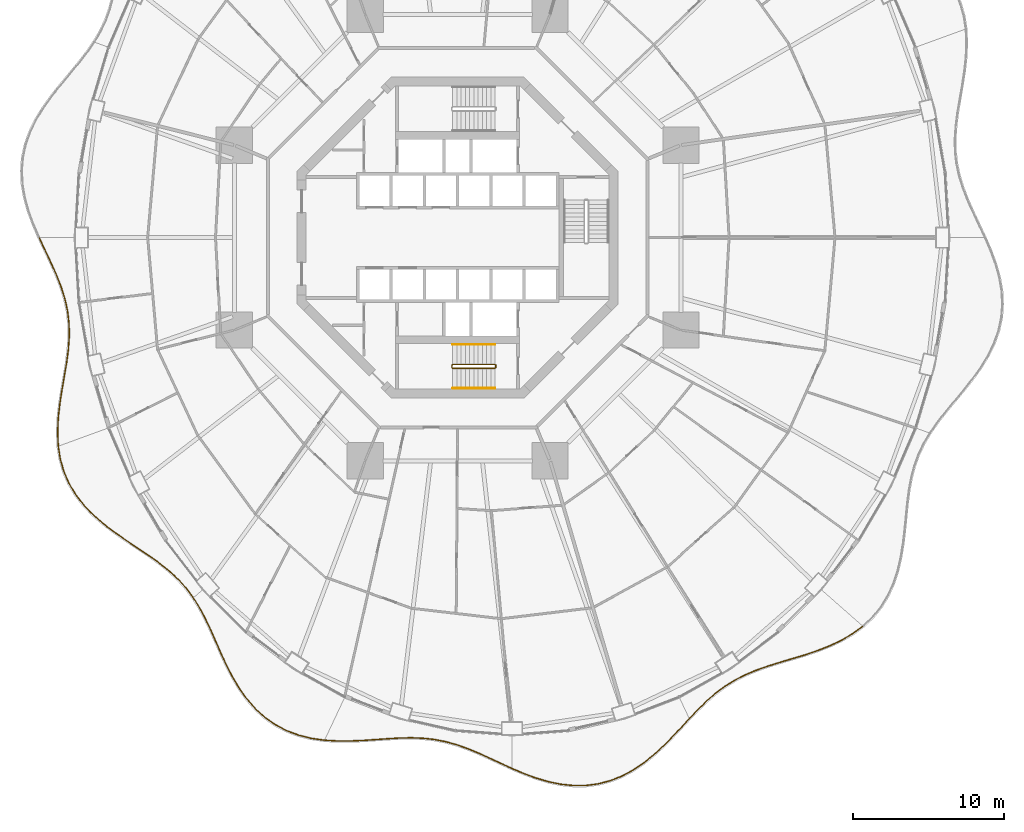
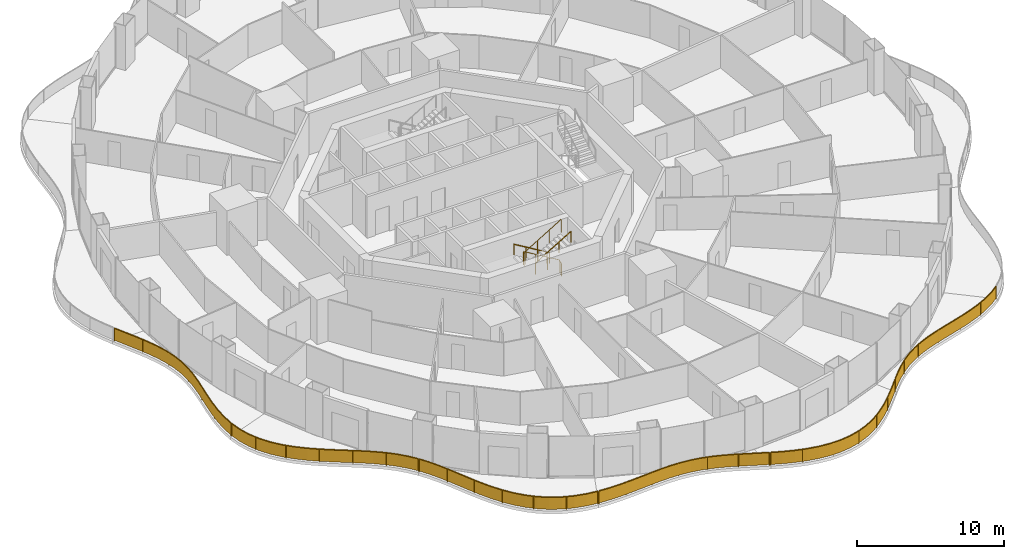
# One storey, part 20 of 22: 9 railings.
"""IFC4 building model written with IfcOpenShell, lengths in metres."""

from ifc_helpers import new_model, si_unit, direction, frame, origin, origin_2d, place, context, subcontext, project, spatial, polyline, rectangle, circle, outline, extrude, material, type_object, element, save


model = new_model("IFC4")

# Units and contexts
model_context = context("Model", 3, precision=1e-05, world=origin(), true_north=direction((0.0, 1.0)))
body_context = subcontext(model_context, "Body", "Model", "MODEL_VIEW")
ifc_project = project(units=[si_unit("LENGTHUNIT", "METRE"), si_unit("AREAUNIT", "SQUARE_METRE"), si_unit("VOLUMEUNIT", "CUBIC_METRE"), si_unit("PLANEANGLEUNIT", "RADIAN"), si_unit("MASSUNIT", "GRAM", prefix="KILO")], contexts=[model_context])

# Site, building, storey
site_placement = place(None, origin())
site = spatial("IfcSite", under=ifc_project, at=site_placement, CompositionType="ELEMENT")
building_placement = place(site_placement, origin())
building = spatial("IfcBuilding", under=site, at=building_placement, Name="Nagisa Residences", CompositionType="ELEMENT")
storey_placement = place(building_placement, frame((0.0, 0.0, 38.10009765625)))
storey = spatial("IfcBuildingStorey", under=building, at=storey_placement, Name="L08", CompositionType="ELEMENT", Elevation=38.10009765625)

# Railings
ifc_material_1 = material(Name="Stainless steel 316", Category="steel")
railing_type_1 = type_object("IfcRailingType", Name="BALCONY GUARD 1100", PredefinedType="BALUSTRADE", material=ifc_material_1)
railing_1_placement = place(storey_placement, frame((-27.691650390625, -0.034423828125, 0.0)))
element("IfcRailing", 1, at=railing_1_placement, inside=storey, type_object=railing_type_1, Name="guard:L08:bal08-0", PredefinedType="BALUSTRADE", context=body_context, shape_type="SweptSolid", body=[
    extrude(outline(polyline([(0.40185546875, -0.796875), (0.022705078125, 0.0107421875), (-0.022705078125, -0.0107421875), (0.3564453125, -0.818359375), (0.749755859375, -1.651123046875), (1.11474609375, -2.4697265625), (1.430419921875, -3.278564453125), (1.6796875, -4.08349609375), (1.849853515625, -4.877197265625), (1.93994140625, -5.694091796875), (1.95068359375, -6.526611328125), (1.89208984375, -7.37939453125), (1.77880859375, -8.254638671875), (1.627685546875, -9.138916015625), (1.468994140625, -10.056640625), (1.3251953125, -10.98876953125), (1.221923828125, -11.927490234375), (1.182373046875, -12.863525390625), (1.223876953125, -13.7392578125), (1.273681640625, -13.73681640625), (1.232666015625, -12.863525390625), (1.271728515625, -11.931396484375), (1.375, -10.9951171875), (1.518310546875, -10.06494140625), (1.677001953125, -9.147216796875), (1.828125, -8.261962890625), (1.94189453125, -7.38427734375), (2.0009765625, -6.528076171875), (1.98974609375, -5.691162109375), (1.899169921875, -4.869384765625), (1.72802734375, -4.07080078125), (1.477783203125, -3.261962890625), (1.1611328125, -2.4501953125), (0.795166015625, -1.630126953125), (0.40185546875, -0.796875)])), frame((0.0, 0.0, 1.050048828125)), (0.0, 0.0, 1.0), 0.050048828125),
    extrude(outline(polyline([(0.385498046875, -0.8046875), (0.00634765625, 0.0029296875), (-0.00634765625, -0.0029296875), (0.372802734375, -0.810546875), (0.76611328125, -1.6435546875), (1.131591796875, -2.462646484375), (1.447509765625, -3.2724609375), (1.697021484375, -4.078857421875), (1.86767578125, -4.87451171875), (1.957763671875, -5.693115234375), (1.96875, -6.527099609375), (1.909912109375, -7.381103515625), (1.796630859375, -8.25732421875), (1.6455078125, -9.141845703125), (1.48681640625, -10.0595703125), (1.34326171875, -10.990966796875), (1.23974609375, -11.928955078125), (1.200439453125, -12.863525390625), (1.24169921875, -13.73828125), (1.255859375, -13.73779296875), (1.214599609375, -12.863525390625), (1.25390625, -11.929931640625), (1.35693359375, -10.992919921875), (1.50048828125, -10.06201171875), (1.6591796875, -9.144287109375), (1.810302734375, -8.25927734375), (1.924072265625, -7.382568359375), (1.98291015625, -6.527587890625), (1.971923828125, -5.692138671875), (1.88134765625, -4.8720703125), (1.710693359375, -4.075439453125), (1.460693359375, -3.26806640625), (1.144287109375, -2.457275390625), (0.77880859375, -1.6376953125), (0.385498046875, -0.8046875)])), frame((0.0, 0.0, 0.06005859375)), (0.0, 0.0, 1.0), 0.989990234375),
    extrude(rectangle(XDim=0.0400390625, YDim=0.0400390625, at=origin_2d()), origin(), (0.0, 0.0, 1.0), 1.050048828125),
    extrude(rectangle(XDim=0.0400390625, YDim=0.0400390625, at=origin_2d()), frame((0.995361328125, -2.140380859375, 0.0)), (0.0, 0.0, 1.0), 1.050048828125),
    extrude(rectangle(XDim=0.0400390625, YDim=0.0400390625, at=origin_2d()), frame((1.765869140625, -4.36669921875, 0.0)), (0.0, 0.0, 1.0), 1.050048828125),
    extrude(rectangle(XDim=0.0400390625, YDim=0.0400390625, at=origin_2d()), frame((1.963134765625, -6.710205078125, 0.0)), (0.0, 0.0, 1.0), 1.050048828125),
    extrude(rectangle(XDim=0.0400390625, YDim=0.0400390625, at=origin_2d()), frame((1.668212890625, -9.05029296875, 0.0)), (0.0, 0.0, 1.0), 1.050048828125),
    extrude(rectangle(XDim=0.0400390625, YDim=0.0400390625, at=origin_2d()), frame((1.30712890625, -11.382568359375, 0.0)), (0.0, 0.0, 1.0), 1.050048828125),
    extrude(rectangle(XDim=0.0400390625, YDim=0.0400390625, at=origin_2d()), frame((1.248779296875, -13.738037109375, 0.0)), (0.0, 0.0, 1.0), 1.050048828125),
])
railing_2_placement = place(storey_placement, frame((-26.435302734375, -13.849365234375, 0.0)))
element("IfcRailing", 2, at=railing_2_placement, inside=storey, type_object=railing_type_1, Name="guard:L08:bal09-0", PredefinedType="BALUSTRADE", context=body_context, shape_type="SweptSolid", body=[
    extrude(outline(polyline([(0.154296875, -0.8173828125), (0.024658203125, 0.00390625), (-0.024658203125, -0.00390625), (0.10546875, -0.828125), (0.34716796875, -1.665771484375), (0.694580078125, -2.46240234375), (1.14453125, -3.21142578125), (1.68896484375, -3.90966796875), (2.307373046875, -4.5439453125), (2.995361328125, -5.142822265625), (3.72705078125, -5.69970703125), (4.480224609375, -6.22412109375), (5.234619140625, -6.7275390625), (5.961669921875, -7.210693359375), (6.661376953125, -7.71240234375), (7.31298828125, -8.2333984375), (7.908203125, -8.7861328125), (8.44482421875, -9.38037109375), (8.899658203125, -9.98974609375), (8.939697265625, -9.9599609375), (8.4833984375, -9.3486328125), (7.94384765625, -8.7509765625), (7.345703125, -8.1953125), (6.691650390625, -7.67236328125), (5.989990234375, -7.169677734375), (5.262451171875, -6.68603515625), (4.508544921875, -6.1826171875), (3.75634765625, -5.6591796875), (3.027099609375, -5.103759765625), (2.341552734375, -4.50732421875), (1.7265625, -3.876953125), (1.18603515625, -3.18310546875), (0.739013671875, -2.439453125), (0.39453125, -1.648681640625), (0.154296875, -0.8173828125)])), frame((0.0, 0.0, 1.050048828125)), (0.0, 0.0, 1.0), 0.050048828125),
    extrude(outline(polyline([(0.13671875, -0.8212890625), (0.0068359375, 0.0009765625), (-0.0068359375, -0.0009765625), (0.123046875, -0.82421875), (0.3642578125, -1.65966796875), (0.71044921875, -2.4541015625), (1.159423828125, -3.201171875), (1.702392578125, -3.89794921875), (2.319580078125, -4.53076171875), (3.0068359375, -5.128662109375), (3.737548828125, -5.68505859375), (4.490478515625, -6.209228515625), (5.24462890625, -6.712646484375), (5.971923828125, -7.196044921875), (6.67236328125, -7.697998046875), (7.32470703125, -8.2197265625), (7.921142578125, -8.7734375), (8.458740234375, -9.368896484375), (8.9140625, -9.97900390625), (8.92529296875, -9.970703125), (8.469482421875, -9.360107421875), (7.930908203125, -8.763671875), (7.333984375, -8.208984375), (6.6806640625, -7.686767578125), (5.979736328125, -7.184326171875), (5.25244140625, -6.700927734375), (4.498291015625, -6.197509765625), (3.745849609375, -5.673828125), (3.015625, -5.117919921875), (2.329345703125, -4.5205078125), (1.713134765625, -3.888671875), (1.171142578125, -3.193359375), (0.72314453125, -2.44775390625), (0.37744140625, -1.65478515625), (0.13671875, -0.8212890625)])), frame((0.0, 0.0, 0.06005859375)), (0.0, 0.0, 1.0), 0.989990234375),
    extrude(rectangle(XDim=0.0400390625, YDim=0.0400390625, at=origin_2d()), origin(), (0.0, 0.0, 1.0), 1.050048828125),
    extrude(rectangle(XDim=0.0400390625, YDim=0.0400390625, at=origin_2d()), frame((0.6103515625, -2.206787109375, 0.0)), (0.0, 0.0, 1.0), 1.050048828125),
    extrude(rectangle(XDim=0.0400390625, YDim=0.0400390625, at=origin_2d()), frame((1.904296875, -4.094970703125, 0.0)), (0.0, 0.0, 1.0), 1.050048828125),
    extrude(rectangle(XDim=0.0400390625, YDim=0.0400390625, at=origin_2d()), frame((3.638916015625, -5.60107421875, 0.0)), (0.0, 0.0, 1.0), 1.050048828125),
    extrude(rectangle(XDim=0.0400390625, YDim=0.0400390625, at=origin_2d()), frame((5.538330078125, -6.8994140625, 0.0)), (0.0, 0.0, 1.0), 1.050048828125),
    extrude(rectangle(XDim=0.0400390625, YDim=0.0400390625, at=origin_2d()), frame((7.386474609375, -8.267333984375, 0.0)), (0.0, 0.0, 1.0), 1.050048828125),
    extrude(rectangle(XDim=0.0400390625, YDim=0.0400390625, at=origin_2d()), frame((8.919677734375, -9.974853515625, 0.0)), (0.0, 0.0, 1.0), 1.050048828125),
])
railing_3_placement = place(storey_placement, frame((-17.4775390625, -23.88232421875, 0.0)))
element("IfcRailing", 3, at=railing_3_placement, inside=storey, type_object=railing_type_1, Name="guard:L08:bal10-0", PredefinedType="BALUSTRADE", context=body_context, shape_type="SweptSolid", body=[
    extrude(outline(polyline([(0.41064453125, -0.613037109375), (0.021240234375, 0.01318359375), (-0.021240234375, -0.01318359375), (0.3671875, -0.637939453125), (0.74267578125, -1.34228515625), (1.095458984375, -2.086669921875), (1.43896484375, -2.86181640625), (1.788818359375, -3.656005859375), (2.14794921875, -4.44384765625), (2.553955078125, -5.230224609375), (3.0068359375, -5.987060546875), (3.515380859375, -6.697509765625), (4.08544921875, -7.345947265625), (4.706787109375, -7.91015625), (5.401123046875, -8.396240234375), (6.154052734375, -8.79052734375), (6.956787109375, -9.0908203125), (7.798828125, -9.30029296875), (8.622314453125, -9.416748046875), (8.629150390625, -9.367431640625), (7.80859375, -9.2509765625), (6.971435546875, -9.04296875), (6.174560546875, -8.74462890625), (5.427001953125, -8.353271484375), (4.738037109375, -7.87109375), (4.12109375, -7.310791015625), (3.554443359375, -6.666259765625), (3.048828125, -5.959716796875), (2.597900390625, -5.205810546875), (2.19287109375, -4.421875), (1.834716796875, -3.635498046875), (1.48486328125, -2.841796875), (1.140869140625, -2.065673828125), (0.78759765625, -1.31982421875), (0.41064453125, -0.613037109375)])), frame((0.0, 0.0, 1.050048828125)), (0.0, 0.0, 1.0), 0.050048828125),
    extrude(outline(polyline([(0.39501953125, -0.6220703125), (0.005859375, 0.003662109375), (-0.005859375, -0.003662109375), (0.3828125, -0.62890625), (0.7587890625, -1.334228515625), (1.11181640625, -2.0791015625), (1.45556640625, -2.854736328125), (1.805419921875, -3.648681640625), (2.1640625, -4.43603515625), (2.56982421875, -5.221435546875), (3.02197265625, -5.977294921875), (3.529541015625, -6.686279296875), (4.098388671875, -7.333251953125), (4.718017578125, -7.89599609375), (5.410400390625, -8.380859375), (6.161376953125, -8.77392578125), (6.9619140625, -9.073486328125), (7.802490234375, -9.282470703125), (8.624755859375, -9.39892578125), (8.626708984375, -9.38525390625), (7.804931640625, -9.268798828125), (6.96630859375, -9.060302734375), (6.167236328125, -8.76123046875), (5.417724609375, -8.36865234375), (4.726806640625, -7.88525390625), (4.108154296875, -7.323486328125), (3.540283203125, -6.677490234375), (3.03369140625, -5.969482421875), (2.58203125, -5.214599609375), (2.1767578125, -4.4296875), (1.818115234375, -3.642822265625), (1.46826171875, -2.848876953125), (1.12451171875, -2.0732421875), (0.771484375, -1.327880859375), (0.39501953125, -0.6220703125)])), frame((0.0, 0.0, 0.06005859375)), (0.0, 0.0, 1.0), 0.989990234375),
    extrude(rectangle(XDim=0.0400390625, YDim=0.0400390625, at=origin_2d()), origin(), (0.0, 0.0, 1.0), 1.050048828125),
    extrude(rectangle(XDim=0.0400390625, YDim=0.0400390625, at=origin_2d()), frame((1.07177734375, -1.978271484375, 0.0)), (0.0, 0.0, 1.0), 1.050048828125),
    extrude(rectangle(XDim=0.0400390625, YDim=0.0400390625, at=origin_2d()), frame((1.9892578125, -4.035400390625, 0.0)), (0.0, 0.0, 1.0), 1.050048828125),
    extrude(rectangle(XDim=0.0400390625, YDim=0.0400390625, at=origin_2d()), frame((3.057861328125, -6.015380859375, 0.0)), (0.0, 0.0, 1.0), 1.050048828125),
    extrude(rectangle(XDim=0.0400390625, YDim=0.0400390625, at=origin_2d()), frame((4.526611328125, -7.712890625, 0.0)), (0.0, 0.0, 1.0), 1.050048828125),
    extrude(rectangle(XDim=0.0400390625, YDim=0.0400390625, at=origin_2d()), frame((6.4423828125, -8.87158203125, 0.0)), (0.0, 0.0, 1.0), 1.050048828125),
    extrude(rectangle(XDim=0.0400390625, YDim=0.0400390625, at=origin_2d()), frame((8.625732421875, -9.39208984375, 0.0)), (0.0, 0.0, 1.0), 1.050048828125),
])
railing_4_placement = place(storey_placement, frame((-8.77490234375, -33.281494140625, 0.0)))
element("IfcRailing", 4, at=railing_4_placement, inside=storey, type_object=railing_type_1, Name="guard:L08:bal11-0", PredefinedType="BALUSTRADE", context=body_context, shape_type="SweptSolid", body=[
    extrude(outline(polyline([(0.806640625, -0.02294921875), (0.00146484375, 0.02490234375), (-0.00146484375, -0.02490234375), (0.80517578125, -0.07275390625), (1.663818359375, -0.073486328125), (2.518310546875, -0.036865234375), (3.360107421875, 0.01904296875), (4.18408203125, 0.0771484375), (4.968994140625, 0.125), (5.748046875, 0.13720703125), (6.505126953125, 0.10693359375), (7.244140625, 0.0244140625), (7.9697265625, -0.115234375), (8.670654296875, -0.309814453125), (9.38916015625, -0.561279296875), (10.11328125, -0.85888671875), (10.849609375, -1.190673828125), (11.60205078125, -1.541259765625), (12.329833984375, -1.876220703125), (12.350830078125, -1.830810546875), (11.623046875, -1.495849609375), (10.87060546875, -1.145263671875), (10.13330078125, -0.81298828125), (9.40673828125, -0.514404296875), (8.685791015625, -0.261962890625), (7.98095703125, -0.06640625), (7.25146484375, 0.07373046875), (6.509033203125, 0.15673828125), (5.74853515625, 0.1875), (4.967041015625, 0.1748046875), (4.1806640625, 0.126953125), (3.356689453125, 0.06884765625), (2.515380859375, 0.012939453125), (1.662841796875, -0.023193359375), (0.806640625, -0.02294921875)])), frame((0.0, 0.0, 1.050048828125)), (0.0, 0.0, 1.0), 0.050048828125),
    extrude(outline(polyline([(0.80615234375, -0.040771484375), (0.00048828125, 0.007080078125), (-0.00048828125, -0.007080078125), (0.8056640625, -0.054931640625), (1.66357421875, -0.055419921875), (2.517333984375, -0.01904296875), (3.35888671875, 0.036865234375), (4.182861328125, 0.094970703125), (4.96826171875, 0.142822265625), (5.748291015625, 0.1552734375), (6.506591796875, 0.124755859375), (7.246826171875, 0.042236328125), (7.9736328125, -0.09765625), (8.676025390625, -0.29248046875), (9.3955078125, -0.54443359375), (10.12060546875, -0.84228515625), (10.857177734375, -1.17431640625), (11.609619140625, -1.52490234375), (12.33740234375, -1.85986328125), (12.34326171875, -1.84716796875), (11.615478515625, -1.51220703125), (10.863037109375, -1.16162109375), (10.1259765625, -0.82958984375), (9.400390625, -0.53125), (8.680419921875, -0.279296875), (7.97705078125, -0.083984375), (7.248779296875, 0.055908203125), (6.507568359375, 0.138916015625), (5.748291015625, 0.16943359375), (4.9677734375, 0.156982421875), (4.181884765625, 0.109130859375), (3.35791015625, 0.051025390625), (2.516357421875, -0.0048828125), (1.6630859375, -0.041259765625), (0.80615234375, -0.040771484375)])), frame((0.0, 0.0, 0.06005859375)), (0.0, 0.0, 1.0), 0.989990234375),
    extrude(rectangle(XDim=0.0400390625, YDim=0.0400390625, at=origin_2d()), origin(), (0.0, 0.0, 1.0), 1.050048828125),
    extrude(rectangle(XDim=0.0400390625, YDim=0.0400390625, at=origin_2d()), frame((2.11767578125, -0.029052734375, 0.0)), (0.0, 0.0, 1.0), 1.050048828125),
    extrude(rectangle(XDim=0.0400390625, YDim=0.0400390625, at=origin_2d()), frame((4.23291015625, 0.105224609375, 0.0)), (0.0, 0.0, 1.0), 1.050048828125),
    extrude(rectangle(XDim=0.0400390625, YDim=0.0400390625, at=origin_2d()), frame((6.350341796875, 0.13818359375, 0.0)), (0.0, 0.0, 1.0), 1.050048828125),
    extrude(rectangle(XDim=0.0400390625, YDim=0.0400390625, at=origin_2d()), frame((8.4345703125, -0.21826171875, 0.0)), (0.0, 0.0, 1.0), 1.050048828125),
    extrude(rectangle(XDim=0.0400390625, YDim=0.0400390625, at=origin_2d()), frame((10.4150390625, -0.96728515625, 0.0)), (0.0, 0.0, 1.0), 1.050048828125),
    extrude(rectangle(XDim=0.0400390625, YDim=0.0400390625, at=origin_2d()), frame((12.34033203125, -1.853515625, 0.0)), (0.0, 0.0, 1.0), 1.050048828125),
])
railing_5_placement = place(storey_placement, frame((3.635009765625, -35.1669921875, 0.0)))
element("IfcRailing", 5, at=railing_5_placement, inside=storey, type_object=railing_type_1, Name="guard:L08:bal12-0", PredefinedType="BALUSTRADE", context=body_context, shape_type="SweptSolid", body=[
    extrude(outline(polyline([(0.755859375, -0.295654296875), (0.009765625, 0.02294921875), (-0.009765625, -0.02294921875), (0.7373046875, -0.342041015625), (1.547119140625, -0.6396484375), (2.371826171875, -0.88232421875), (3.206298828125, -1.052978515625), (4.04296875, -1.1396484375), (4.859375, -1.133544921875), (5.679931640625, -1.025390625), (6.47998046875, -0.816162109375), (7.253173828125, -0.509521484375), (7.993896484375, -0.11376953125), (8.682373046875, 0.353759765625), (9.3515625, 0.88916015625), (9.98583984375, 1.469482421875), (10.589599609375, 2.077392578125), (11.168701171875, 2.693603515625), (11.698974609375, 3.2705078125), (11.662353515625, 3.30419921875), (11.132080078125, 2.727783203125), (10.553466796875, 2.112060546875), (9.951171875, 1.505615234375), (9.31884765625, 0.92724609375), (8.652587890625, 0.394287109375), (7.968017578125, -0.07080078125), (7.232177734375, -0.464111328125), (6.46435546875, -0.768310546875), (5.670166015625, -0.97607421875), (4.85595703125, -1.083740234375), (4.04541015625, -1.08935546875), (3.214111328125, -1.003662109375), (2.384033203125, -0.83349609375), (1.562744140625, -0.59228515625), (0.755859375, -0.295654296875)])), frame((0.0, 0.0, 1.050048828125)), (0.0, 0.0, 1.0), 0.050048828125),
    extrude(outline(polyline([(0.749267578125, -0.312255859375), (0.002685546875, 0.00634765625), (-0.002685546875, -0.00634765625), (0.743896484375, -0.325439453125), (1.552734375, -0.62255859375), (2.376220703125, -0.86474609375), (3.209228515625, -1.03515625), (4.0439453125, -1.12158203125), (4.858154296875, -1.11572265625), (5.676513671875, -1.007568359375), (6.474365234375, -0.798828125), (7.24560546875, -0.4931640625), (7.984619140625, -0.098388671875), (8.671630859375, 0.368408203125), (9.33984375, 0.90283203125), (9.973388671875, 1.482421875), (10.57666015625, 2.08984375), (11.155517578125, 2.705810546875), (11.685791015625, 3.28271484375), (11.675537109375, 3.2919921875), (11.145263671875, 2.715576171875), (10.56640625, 2.099609375), (9.963623046875, 1.49267578125), (9.33056640625, 0.91357421875), (8.663330078125, 0.379638671875), (7.977294921875, -0.086181640625), (7.23974609375, -0.48046875), (6.469970703125, -0.78564453125), (5.673583984375, -0.993896484375), (4.857177734375, -1.1015625), (4.04443359375, -1.107421875), (3.211181640625, -1.021484375), (2.379638671875, -0.85107421875), (1.55712890625, -0.609375), (0.749267578125, -0.312255859375)])), frame((0.0, 0.0, 0.06005859375)), (0.0, 0.0, 1.0), 0.989990234375),
    extrude(rectangle(XDim=0.0400390625, YDim=0.0400390625, at=origin_2d()), origin(), (0.0, 0.0, 1.0), 1.050048828125),
    extrude(rectangle(XDim=0.0400390625, YDim=0.0400390625, at=origin_2d()), frame((2.08837890625, -0.772705078125, 0.0)), (0.0, 0.0, 1.0), 1.050048828125),
    extrude(rectangle(XDim=0.0400390625, YDim=0.0400390625, at=origin_2d()), frame((4.283447265625, -1.11279296875, 0.0)), (0.0, 0.0, 1.0), 1.050048828125),
    extrude(rectangle(XDim=0.0400390625, YDim=0.0400390625, at=origin_2d()), frame((6.478271484375, -0.789794921875, 0.0)), (0.0, 0.0, 1.0), 1.050048828125),
    extrude(rectangle(XDim=0.0400390625, YDim=0.0400390625, at=origin_2d()), frame((8.4521484375, 0.227783203125, 0.0)), (0.0, 0.0, 1.0), 1.050048828125),
    extrude(rectangle(XDim=0.0400390625, YDim=0.0400390625, at=origin_2d()), frame((10.1484375, 1.668701171875, 0.0)), (0.0, 0.0, 1.0), 1.050048828125),
    extrude(rectangle(XDim=0.0400390625, YDim=0.0400390625, at=origin_2d()), frame((11.6806640625, 3.287353515625, 0.0)), (0.0, 0.0, 1.0), 1.050048828125),
])
railing_6_placement = place(storey_placement, frame((15.365478515625, -31.82373046875, 0.0)))
element("IfcRailing", 6, at=railing_6_placement, inside=storey, type_object=railing_type_1, Name="guard:L08:bal13-0", PredefinedType="BALUSTRADE", context=body_context, shape_type="SweptSolid", body=[
    extrude(outline(polyline([(0.526611328125, 0.591796875), (-0.01806640625, 0.017333984375), (0.01806640625, -0.017333984375), (0.562255859375, 0.556640625), (1.141845703125, 1.12255859375), (1.735595703125, 1.63818359375), (2.35302734375, 2.0986328125), (3.001953125, 2.50244140625), (3.67431640625, 2.84423828125), (4.400146484375, 3.1494140625), (5.1640625, 3.42041015625), (5.96142578125, 3.67041015625), (6.78369140625, 3.9150390625), (7.60791015625, 4.15966796875), (8.4443359375, 4.44140625), (9.265869140625, 4.763671875), (10.056396484375, 5.138916015625), (10.801025390625, 5.576416015625), (11.447998046875, 6.052490234375), (11.418212890625, 6.093017578125), (10.773681640625, 5.618408203125), (10.032958984375, 5.183349609375), (9.245849609375, 4.8095703125), (8.42724609375, 4.48828125), (7.5927734375, 4.20751953125), (6.76953125, 3.962890625), (5.94677734375, 3.71826171875), (5.1484375, 3.4677734375), (4.382080078125, 3.1962890625), (3.6533203125, 2.8896484375), (2.9775390625, 2.5458984375), (2.32470703125, 2.14013671875), (1.704345703125, 1.67724609375), (1.108154296875, 1.1591796875), (0.526611328125, 0.591796875)])), frame((0.0, 0.0, 1.050048828125)), (0.0, 0.0, 1.0), 0.050048828125),
    extrude(outline(polyline([(0.53955078125, 0.5791015625), (-0.005126953125, 0.0048828125), (0.005126953125, -0.0048828125), (0.54931640625, 0.5693359375), (1.129638671875, 1.1357421875), (1.724365234375, 1.65234375), (2.3427734375, 2.113525390625), (2.9931640625, 2.51806640625), (3.666748046875, 2.860595703125), (4.3935546875, 3.166259765625), (5.158447265625, 3.4375), (5.9560546875, 3.687744140625), (6.778564453125, 3.932373046875), (7.6025390625, 4.177001953125), (8.438232421875, 4.458251953125), (9.258544921875, 4.7802734375), (10.0478515625, 5.155029296875), (10.791259765625, 5.591552734375), (11.437255859375, 6.067138671875), (11.428955078125, 6.078369140625), (10.783447265625, 5.603271484375), (10.04150390625, 5.167236328125), (9.253173828125, 4.79296875), (8.433349609375, 4.471435546875), (7.59814453125, 4.190185546875), (6.774658203125, 3.945556640625), (5.9521484375, 3.700927734375), (5.154052734375, 3.45068359375), (4.388671875, 3.179443359375), (3.660888671875, 2.873291015625), (2.986328125, 2.5302734375), (2.3349609375, 2.125244140625), (1.715576171875, 1.6630859375), (1.120361328125, 1.14599609375), (0.53955078125, 0.5791015625)])), frame((0.0, 0.0, 0.06005859375)), (0.0, 0.0, 1.0), 0.989990234375),
    extrude(rectangle(XDim=0.0400390625, YDim=0.0400390625, at=origin_2d()), origin(), (0.0, 0.0, 1.0), 1.050048828125),
    extrude(rectangle(XDim=0.0400390625, YDim=0.0400390625, at=origin_2d()), frame((1.568359375, 1.52587890625, 0.0)), (0.0, 0.0, 1.0), 1.050048828125),
    extrude(rectangle(XDim=0.0400390625, YDim=0.0400390625, at=origin_2d()), frame((3.39111328125, 2.728271484375, 0.0)), (0.0, 0.0, 1.0), 1.050048828125),
    extrude(rectangle(XDim=0.0400390625, YDim=0.0400390625, at=origin_2d()), frame((5.42626953125, 3.52880859375, 0.0)), (0.0, 0.0, 1.0), 1.050048828125),
    extrude(rectangle(XDim=0.0400390625, YDim=0.0400390625, at=origin_2d()), frame((7.52294921875, 4.16064453125, 0.0)), (0.0, 0.0, 1.0), 1.050048828125),
    extrude(rectangle(XDim=0.0400390625, YDim=0.0400390625, at=origin_2d()), frame((9.56884765625, 4.935302734375, 0.0)), (0.0, 0.0, 1.0), 1.050048828125),
    extrude(rectangle(XDim=0.0400390625, YDim=0.0400390625, at=origin_2d()), frame((11.43310546875, 6.07275390625, 0.0)), (0.0, 0.0, 1.0), 1.050048828125),
])
ifc_material_2 = material(Name="Stainless steel", Category="steel")
railing_type_2 = type_object("IfcRailingType", Name="Stair guard 1100", PredefinedType="GUARDRAIL", material=ifc_material_2)
railing_7_placement = place(storey_placement, frame((2.52490234375, -8.599609375, 0.0)))
element("IfcRailing", 7, at=railing_7_placement, inside=storey, type_object=railing_type_2, Name="L08 ST-S stair guard 1", PredefinedType="GUARDRAIL", context=body_context, shape_type="SweptSolid", body=[
    extrude(circle(Radius=0.02392578125, at=origin_2d()), frame((0.0, 0.0, 1.076171875), z_axis=(0.0, 1.0, 0.0), x_axis=(-1.0, 0.0, 0.0)), (0.0, 0.0, 1.0), 0.14990234375),
    extrude(circle(Radius=0.02392578125, at=origin_2d()), frame((0.0, 0.14990234375, 1.076171875), z_axis=(-0.273343290215, 0.274683208305, 0.921863645432), x_axis=(-0.708833529934, -0.705375805398, 0.0)), (0.0, 0.0, 1.0), 0.18212890625),
    extrude(circle(Radius=0.02392578125, at=origin_2d()), frame((-0.0498046875, 0.199951171875, 1.244140625), z_axis=(-0.857242210791, 0.0, 0.514913383045), x_axis=(0.0, -1.0, 0.0)), (0.0, 0.0, 1.0), 3.266357421875),
    extrude(circle(Radius=0.02392578125, at=origin_2d()), frame((-2.849853515625, 0.199951171875, 2.92578125), z_axis=(-0.707106781187, -0.707106781187, 0.0), x_axis=(0.707106781187, -0.707106781187, 0.0)), (0.0, 0.0, 1.0), 0.07080078125),
    extrude(circle(Radius=0.02392578125, at=origin_2d()), frame((-2.89990234375, 0.14990234375, 2.92578125), z_axis=(0.0, -1.0, 0.0), x_axis=(1.0, 0.0, 0.0)), (0.0, 0.0, 1.0), 0.14990234375),
    extrude(circle(Radius=0.02392578125, at=origin_2d()), frame((-2.89990234375, 0.0, 2.92578125), z_axis=(0.274243871929, -0.274243871929, 0.92172696468), x_axis=(0.707106781187, 0.707106781187, 0.0)), (0.0, 0.0, 1.0), 0.1826171875),
    extrude(circle(Radius=0.02392578125, at=origin_2d()), frame((-2.849853515625, -0.050048828125, 3.09423828125), z_axis=(0.857242210791, 0.0, 0.514913383045), x_axis=(0.0, 1.0, 0.0)), (0.0, 0.0, 1.0), 3.266357421875),
    extrude(circle(Radius=0.02099609375, at=origin_2d()), origin(), (0.0, 0.0, 1.0), 1.052001953125),
    extrude(circle(Radius=0.02099609375, at=origin_2d()), frame((0.0, 0.14990234375, 0.0)), (0.0, 0.0, 1.0), 1.052001953125),
    extrude(circle(Radius=0.02099609375, at=origin_2d()), frame((-0.0498046875, 0.199951171875, 0.16796875)), (0.0, 0.0, 1.0), 1.052001953125),
    extrude(circle(Radius=0.02099609375, at=origin_2d()), frame((-0.983154296875, 0.199951171875, 0.728515625)), (0.0, 0.0, 1.0), 1.052001953125),
    extrude(circle(Radius=0.02099609375, at=origin_2d()), frame((-1.91650390625, 0.199951171875, 1.289306640625)), (0.0, 0.0, 1.0), 1.052001953125),
    extrude(circle(Radius=0.02099609375, at=origin_2d()), frame((-2.849853515625, 0.199951171875, 1.849853515625)), (0.0, 0.0, 1.0), 1.052001953125),
    extrude(circle(Radius=0.02099609375, at=origin_2d()), frame((-2.89990234375, 0.14990234375, 1.849853515625)), (0.0, 0.0, 1.0), 1.052001953125),
    extrude(circle(Radius=0.02099609375, at=origin_2d()), frame((-2.89990234375, 0.0, 1.849853515625)), (0.0, 0.0, 1.0), 1.052001953125),
    extrude(circle(Radius=0.02099609375, at=origin_2d()), frame((-2.849853515625, -0.050048828125, 2.01806640625)), (0.0, 0.0, 1.0), 1.052001953125),
    extrude(circle(Radius=0.02099609375, at=origin_2d()), frame((-1.91650390625, -0.050048828125, 2.57861328125)), (0.0, 0.0, 1.0), 1.052001953125),
    extrude(circle(Radius=0.02099609375, at=origin_2d()), frame((-0.983154296875, -0.050048828125, 3.139404296875)), (0.0, 0.0, 1.0), 1.052001953125),
    extrude(circle(Radius=0.02099609375, at=origin_2d()), frame((-0.0498046875, -0.050048828125, 3.699951171875)), (0.0, 0.0, 1.0), 1.052001953125),
])
ifc_material_3 = material(Name="Stainless steel", Category="steel")
railing_type_3 = type_object("IfcRailingType", Name="Stair handrail 900", PredefinedType="HANDRAIL", material=ifc_material_3)
railing_8_placement = place(storey_placement, frame((2.47509765625, -7.07470703125, 0.16796875)))
element("IfcRailing", 8, at=railing_8_placement, inside=storey, type_object=railing_type_3, Name="L08 ST-S stair handrail 1", PredefinedType="HANDRAIL", context=body_context, shape_type="SweptSolid", body=[
    extrude(circle(Radius=0.02392578125, at=origin_2d()), frame((0.0, 0.0, 0.8759765625), z_axis=(-0.857242210791, 0.0, 0.514913383045), x_axis=(0.0, -1.0, 0.0)), (0.0, 0.0, 1.0), 3.266357421875),
    extrude(circle(Radius=0.02099609375, at=origin_2d()), origin(), (0.0, 0.0, 1.0), 0.851806640625),
    extrude(circle(Radius=0.02099609375, at=origin_2d()), frame((-0.933349609375, 0.0, 0.560546875)), (0.0, 0.0, 1.0), 0.851806640625),
    extrude(circle(Radius=0.02099609375, at=origin_2d()), frame((-1.86669921875, 0.0, 1.121337890625)), (0.0, 0.0, 1.0), 0.851806640625),
    extrude(circle(Radius=0.02099609375, at=origin_2d()), frame((-2.800048828125, 0.0, 1.681884765625)), (0.0, 0.0, 1.0), 0.851806640625),
])
railing_9_placement = place(storey_placement, frame((-0.324951171875, -9.974609375, 2.01806640625)))
element("IfcRailing", 9, at=railing_9_placement, inside=storey, type_object=railing_type_3, Name="L08 ST-S stair handrail 2", PredefinedType="HANDRAIL", context=body_context, shape_type="SweptSolid", body=[
    extrude(circle(Radius=0.02392578125, at=origin_2d()), frame((0.0, 0.0, 0.8759765625), z_axis=(0.857242210791, 0.0, 0.514913383045), x_axis=(0.0, 1.0, 0.0)), (0.0, 0.0, 1.0), 3.266357421875),
    extrude(circle(Radius=0.02099609375, at=origin_2d()), origin(), (0.0, 0.0, 1.0), 0.851806640625),
    extrude(circle(Radius=0.02099609375, at=origin_2d()), frame((0.933349609375, 0.0, 0.560546875)), (0.0, 0.0, 1.0), 0.851806640625),
    extrude(circle(Radius=0.02099609375, at=origin_2d()), frame((1.86669921875, 0.0, 1.121337890625)), (0.0, 0.0, 1.0), 0.851806640625),
    extrude(circle(Radius=0.02099609375, at=origin_2d()), frame((2.800048828125, 0.0, 1.681884765625)), (0.0, 0.0, 1.0), 0.851806640625),
])

save(model, "model.ifc")
